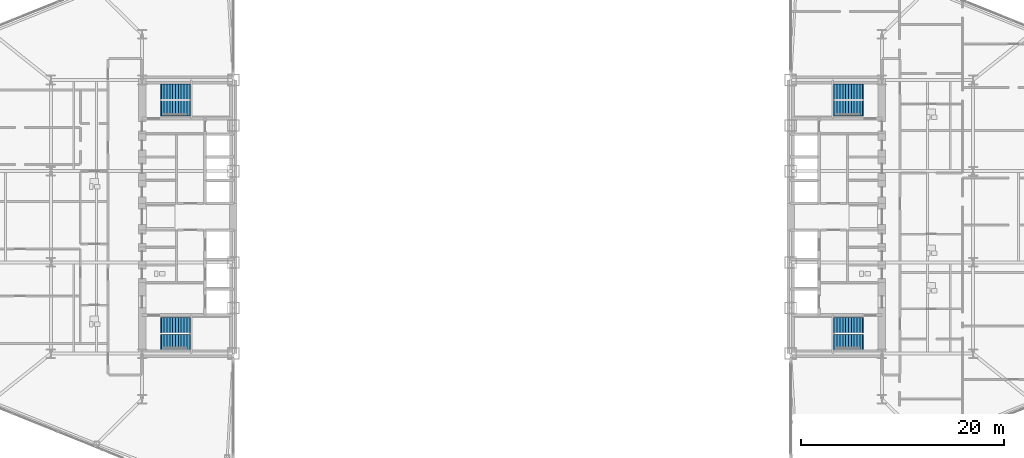
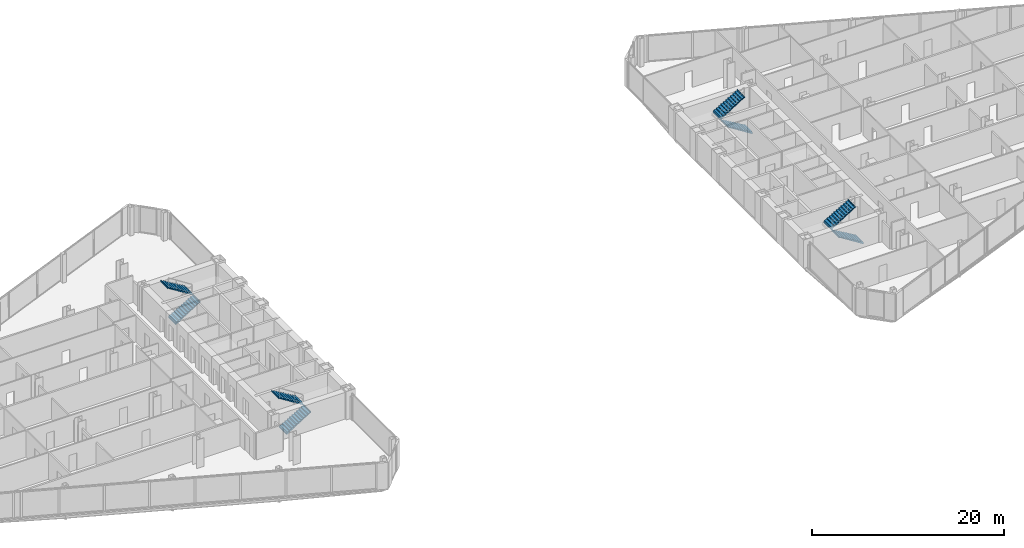
# One storey, part 23 of 25: 8 stair flights, 4 elements without a shape of their own.
"""IFC4 building model written with IfcOpenShell, lengths in metres."""

import ifcopenshell
import ifcopenshell.guid

model = None  # the IFC model being written
_history = None  # IfcOwnerHistory: only IFC2X3 demands one
_inside = {}  # id of a spatial element -> (the spatial element, [elements in it])
_under = {}  # id of a project, library or spatial element -> (it, [spatial elements below it])
_declared = {}  # id of a project -> (the project, [libraries it declares])
_typed = {}  # id of a type object -> (the type object, [elements of that type])
_made_of = {}  # id of a material, layer set ... -> (it, [elements and type objects made of it])


def new_model(schema):
    """Start an empty IFC model of exactly this schema.

    Asked for "IFC4X3", IfcOpenShell would pick the latest addendum, in which some entities
    have other attributes; the version numbers below select the first issue.
    IFC2X3 requires an IfcOwnerHistory on every rooted entity: one is made here for all.
    """
    global model, _history
    if schema == "IFC4X3":
        model = ifcopenshell.file(schema_version=(4, 3, 0, 0))
    else:
        model = ifcopenshell.file(schema=schema)
    _inside.clear()
    _under.clear()
    _declared.clear()
    _typed.clear()
    _made_of.clear()
    _history = None
    if model.schema == "IFC2X3":
        org = make("IfcOrganization", Name="unknown")
        user = make(
            "IfcPersonAndOrganization",
            ThePerson=make("IfcPerson", FamilyName="unknown"),
            TheOrganization=org,
        )
        app = make(
            "IfcApplication",
            ApplicationDeveloper=org,
            Version="unknown",
            ApplicationFullName="unknown",
            ApplicationIdentifier="unknown",
        )
        _history = make(
            "IfcOwnerHistory",
            OwningUser=user,
            OwningApplication=app,
            ChangeAction="ADDED",
            CreationDate=0,
        )
    return model


def make(cls, **values):
    """One entity of the class cls with the attributes given. An attribute that is None is left unset."""
    return model.create_entity(
        cls, **{name: value for name, value in values.items() if value is not None}
    )


def rooted(cls, **values):
    """An entity with a GlobalId (a new one), such as an element, a storey or a relation."""
    return make(cls, GlobalId=ifcopenshell.guid.new(), OwnerHistory=_history, **values)


def si_unit(unit_type, name, prefix=None):
    """IfcSIUnit, for example si_unit("LENGTHUNIT", "METRE", prefix="MILLI")."""
    return make("IfcSIUnit", UnitType=unit_type, Prefix=prefix, Name=name)


def assignment(units):
    """IfcUnitAssignment: the units of a project."""
    return None if units is None else make("IfcUnitAssignment", Units=units)


def point(xyz):
    """IfcCartesianPoint."""
    return None if xyz is None else make("IfcCartesianPoint", Coordinates=xyz)


def direction(xyz):
    """IfcDirection."""
    return None if xyz is None else make("IfcDirection", DirectionRatios=xyz)


def frame(location, z_axis=None, x_axis=None):
    """IfcAxis2Placement3D, a coordinate frame: its origin and axes. An axis left out is left unset."""
    return make(
        "IfcAxis2Placement3D",
        Location=point(location),
        Axis=direction(z_axis),
        RefDirection=direction(x_axis),
    )


def origin():
    """The frame at (0, 0, 0) with its axes left unset."""
    return frame((0.0, 0.0, 0.0))


def place(relative_to, where):
    """IfcLocalPlacement: puts the frame where relative to a parent placement (None: the world)."""
    return make(
        "IfcLocalPlacement", PlacementRelTo=relative_to, RelativePlacement=where
    )


def context(
    kind, dimensions, precision=None, world=None, true_north=None, identifier=None
):
    """IfcGeometricRepresentationContext, for example the 3D "Model" context."""
    return make(
        "IfcGeometricRepresentationContext",
        ContextIdentifier=identifier,
        ContextType=kind,
        CoordinateSpaceDimension=dimensions,
        Precision=precision,
        WorldCoordinateSystem=world,
        TrueNorth=true_north,
    )


def subcontext(parent, identifier, kind, view, scale=None):
    """IfcGeometricRepresentationSubContext, for example "Body" below "Model"."""
    return make(
        "IfcGeometricRepresentationSubContext",
        ContextIdentifier=identifier,
        ContextType=kind,
        ParentContext=parent,
        TargetScale=scale,
        TargetView=view,
    )


def project(units=None, contexts=None):
    """IfcProject with its units and contexts."""
    return rooted(
        "IfcProject",
        Name="project",
        RepresentationContexts=contexts,
        UnitsInContext=assignment(units),
    )


def spatial(cls, under=None, at=None, **own):
    """A site, building, storey or space (cls), placed at a placement, below another one or the project."""
    s = rooted(cls, ObjectPlacement=at, **own)
    if under is not None:
        _under.setdefault(under.id(), (under, []))[1].append(s)
    return s


def polyline(points):
    """IfcPolyline through the points."""
    return make("IfcPolyline", Points=[point(p) for p in points])


def outline(outer, holes=None, kind="AREA"):
    """IfcArbitraryClosedProfileDef: a profile drawn as a closed curve; with holes, ...WithVoids."""
    if holes is None:
        return make("IfcArbitraryClosedProfileDef", ProfileType=kind, OuterCurve=outer)
    return make(
        "IfcArbitraryProfileDefWithVoids",
        ProfileType=kind,
        OuterCurve=outer,
        InnerCurves=holes,
    )


def extrude(swept, where, along, depth):
    """IfcExtrudedAreaSolid: the profile swept, set in the frame where, extruded along a direction by depth."""
    return make(
        "IfcExtrudedAreaSolid",
        SweptArea=swept,
        Position=where,
        ExtrudedDirection=direction(along),
        Depth=depth,
    )


def shape(context_of_items, identifier, shape_type, items):
    """IfcShapeRepresentation: the items that make up one representation, for example the "Body"."""
    return make(
        "IfcShapeRepresentation",
        ContextOfItems=context_of_items,
        RepresentationIdentifier=identifier,
        RepresentationType=shape_type,
        Items=items,
    )


def material(Name=None, Category=None):
    """IfcMaterial."""
    return make("IfcMaterial", Name=Name, Category=Category)


def made_of(thing, what):
    """Note that an element or type object is made of a material, layer set ...; save() writes the relation."""
    if what is not None:
        _made_of.setdefault(what.id(), (what, []))[1].append(thing)
    return thing


def type_object(cls, material=None, **own):
    """A type object (cls), such as IfcWallType, which elements share."""
    return made_of(rooted(cls, **own), material)


def element(
    cls,
    number,
    at=None,
    inside=None,
    cuts=None,
    type_object=None,
    material=None,
    context=None,
    identifier="Body",
    shape_type=None,
    held_by="IfcProductDefinitionShape",
    body=None,
    shapes=None,
    **own,
):
    """One element of the class cls, such as IfcWall. Its Tag is "e" and its number.

    at: its placement. inside: the storey or other place that contains it. cuts: it is an
    opening in that element (IfcRelVoidsElement). A single representation is given by context,
    identifier, shape_type and body (its items); several are given by shapes. held_by: the class
    of the entity that holds the representations. save() writes the other relations.
    """
    e = rooted(cls, Tag="e%d" % number, ObjectPlacement=at, **own)
    if body is not None:
        shapes = [shape(context, identifier, shape_type, body)]
    if shapes is not None:
        e.Representation = make(held_by, Representations=shapes)
    if inside is not None:
        _inside.setdefault(inside.id(), (inside, []))[1].append(e)
    if cuts is not None:
        rooted(
            "IfcRelVoidsElement", RelatingBuildingElement=cuts, RelatedOpeningElement=e
        )
    if type_object is not None:
        _typed.setdefault(type_object.id(), (type_object, []))[1].append(e)
    return made_of(e, material)


def aggregate(whole, parts):
    """IfcRelAggregates: a whole, such as a stair, and the parts it consists of."""
    return rooted("IfcRelAggregates", RelatingObject=whole, RelatedObjects=parts)


def save(model, path):
    """Write the relations noted so far, then the file.

    IfcRelAggregates (storeys below a building ...), IfcRelContainedInSpatialStructure (elements
    in a storey), IfcRelDefinesByType, IfcRelAssociatesMaterial and IfcRelDeclares: one each for
    every whole, place, type object, material and project.
    """
    for whole, parts in _under.values():
        aggregate(whole, parts)
    for where, things in _inside.values():
        rooted(
            "IfcRelContainedInSpatialStructure",
            RelatedElements=things,
            RelatingStructure=where,
        )
    for kind, things in _typed.values():
        rooted("IfcRelDefinesByType", RelatedObjects=things, RelatingType=kind)
    for what, things in _made_of.values():
        rooted("IfcRelAssociatesMaterial", RelatedObjects=things, RelatingMaterial=what)
    for by, libraries in _declared.values():
        rooted("IfcRelDeclares", RelatingContext=by, RelatedDefinitions=libraries)
    model.write(path)


model = new_model("IFC4")

# Units and contexts
model_context = context("Model", 3, precision=1e-05, world=origin(), true_north=direction((0.0, 1.0)))
body_context = subcontext(model_context, "Body", "Model", "MODEL_VIEW")
ifc_project = project(units=[si_unit("LENGTHUNIT", "METRE"), si_unit("AREAUNIT", "SQUARE_METRE"), si_unit("VOLUMEUNIT", "CUBIC_METRE"), si_unit("PLANEANGLEUNIT", "RADIAN"), si_unit("MASSUNIT", "GRAM", prefix="KILO")], contexts=[model_context])

# Site, building, storey
site_placement = place(None, origin())
site = spatial("IfcSite", under=ifc_project, at=site_placement, CompositionType="ELEMENT")
building_placement = place(site_placement, origin())
building = spatial("IfcBuilding", under=site, at=building_placement, Name="Seokmaru Belvedere", CompositionType="ELEMENT")
storey_placement = place(building_placement, frame((0.0, 0.0, 54.89990234375)))
storey = spatial("IfcBuildingStorey", under=building, at=storey_placement, Name="L14", CompositionType="ELEMENT", Elevation=54.89990234375)

# Stair, stair flights
ifc_material = material(Name="Concrete C40 (40 MPa)", Category="concrete")
stair_type = type_object("IfcStairType", Name="Typical Tower Core Dog-Leg Stair 3600", PredefinedType="TWO_STRAIGHT_RUN_STAIR", material=ifc_material)
stair_1_placement = place(storey_placement, origin())
stair_1 = element("IfcStair", 1, at=stair_1_placement, inside=storey, type_object=stair_type, Name="L14 Special Escape Stair ST-W1", PredefinedType="TWO_STRAIGHT_RUN_STAIR")
stair_flight_type = type_object("IfcStairFlightType", Name="Reinforced Concrete Stair Flight 1500", PredefinedType="STRAIGHT", material=ifc_material)
stair_flight_1_placement = place(storey_placement, frame((-34.60009765625, -12.35009765625, 0.0), z_axis=(0.0, 0.0, 1.0), x_axis=(1.0, 0.0, 0.0)))
stair_flight_1 = element("IfcStairFlight", 2, at=stair_flight_1_placement, type_object=stair_flight_type, Name="ST-W1 flight 1", NumberOfRisers=11, NumberOfTreads=10, PredefinedType="STRAIGHT", RiserHeight=0.163636364, TreadLength=0.28, context=body_context, shape_type="SweptSolid", body=[
    extrude(outline(polyline([(-0.080078125, 0.0), (0.0, 0.16357421875), (0.280029296875, 0.16357421875), (0.280029296875, 0.327392578125), (0.56005859375, 0.327392578125), (0.56005859375, 0.490966796875), (0.840087890625, 0.490966796875), (0.840087890625, 0.654541015625), (1.1201171875, 0.654541015625), (1.1201171875, 0.818115234375), (1.39990234375, 0.818115234375), (1.39990234375, 0.98193359375), (1.679931640625, 0.98193359375), (1.679931640625, 1.1455078125), (1.9599609375, 1.1455078125), (1.9599609375, 1.30908203125), (2.239990234375, 1.30908203125), (2.239990234375, 1.47265625), (2.52001953125, 1.47265625), (2.52001953125, 1.636474609375), (2.800048828125, 1.636474609375), (2.800048828125, 1.800048828125), (2.8798828125, 1.800048828125), (2.8798828125, 1.610107421875), (2.800048828125, 1.610107421875), (0.0, -0.159912109375), (-0.080078125, -0.159912109375), (-0.080078125, 0.0)])), frame((0.0, 0.75, 0.0), z_axis=(0.0, -1.0, 0.0), x_axis=(1.0, 0.0, 0.0)), (0.0, 0.0, 1.0), 1.5),
])
stair_flight_2_placement = place(storey_placement, frame((-31.800048828125, -10.7099609375, 1.800048828125), z_axis=(0.0, 0.0, 1.0), x_axis=(-1.0, 0.0, 0.0)))
stair_flight_2 = element("IfcStairFlight", 3, at=stair_flight_2_placement, type_object=stair_flight_type, Name="ST-W1 flight 2", NumberOfRisers=11, NumberOfTreads=10, PredefinedType="STRAIGHT", RiserHeight=0.163636364, TreadLength=0.28, context=body_context, shape_type="SweptSolid", body=[
    extrude(outline(polyline([(-0.080078125, 0.0), (0.0, 0.16357421875), (0.280029296875, 0.16357421875), (0.280029296875, 0.327392578125), (0.56005859375, 0.327392578125), (0.56005859375, 0.490966796875), (0.840087890625, 0.490966796875), (0.840087890625, 0.654541015625), (1.1201171875, 0.654541015625), (1.1201171875, 0.818115234375), (1.39990234375, 0.818115234375), (1.39990234375, 0.98193359375), (1.679931640625, 0.98193359375), (1.679931640625, 1.1455078125), (1.9599609375, 1.1455078125), (1.9599609375, 1.30908203125), (2.239990234375, 1.30908203125), (2.239990234375, 1.47265625), (2.52001953125, 1.47265625), (2.52001953125, 1.636474609375), (2.800048828125, 1.636474609375), (2.800048828125, 1.800048828125), (2.8798828125, 1.800048828125), (2.8798828125, 1.610107421875), (2.800048828125, 1.610107421875), (0.0, -0.159912109375), (-0.080078125, -0.159912109375), (-0.080078125, 0.0)])), frame((0.0, 0.75, 0.0), z_axis=(0.0, -1.0, 0.0), x_axis=(1.0, 0.0, 0.0)), (0.0, 0.0, 1.0), 1.5),
])
aggregate(stair_1, [stair_flight_1, stair_flight_2])

stair_2_placement = place(storey_placement, origin())
stair_2 = element("IfcStair", 4, at=stair_2_placement, inside=storey, type_object=stair_type, Name="L14 Special Escape Stair ST-W2", PredefinedType="TWO_STRAIGHT_RUN_STAIR")
stair_flight_3_placement = place(storey_placement, frame((-34.60009765625, 10.7099609375, 0.0), z_axis=(0.0, 0.0, 1.0), x_axis=(1.0, 0.0, 0.0)))
stair_flight_3 = element("IfcStairFlight", 5, at=stair_flight_3_placement, type_object=stair_flight_type, Name="ST-W2 flight 1", NumberOfRisers=11, NumberOfTreads=10, PredefinedType="STRAIGHT", RiserHeight=0.163636364, TreadLength=0.28, context=body_context, shape_type="SweptSolid", body=[
    extrude(outline(polyline([(-0.080078125, 0.0), (0.0, 0.16357421875), (0.280029296875, 0.16357421875), (0.280029296875, 0.327392578125), (0.56005859375, 0.327392578125), (0.56005859375, 0.490966796875), (0.840087890625, 0.490966796875), (0.840087890625, 0.654541015625), (1.1201171875, 0.654541015625), (1.1201171875, 0.818115234375), (1.39990234375, 0.818115234375), (1.39990234375, 0.98193359375), (1.679931640625, 0.98193359375), (1.679931640625, 1.1455078125), (1.9599609375, 1.1455078125), (1.9599609375, 1.30908203125), (2.239990234375, 1.30908203125), (2.239990234375, 1.47265625), (2.52001953125, 1.47265625), (2.52001953125, 1.636474609375), (2.800048828125, 1.636474609375), (2.800048828125, 1.800048828125), (2.8798828125, 1.800048828125), (2.8798828125, 1.610107421875), (2.800048828125, 1.610107421875), (0.0, -0.159912109375), (-0.080078125, -0.159912109375), (-0.080078125, 0.0)])), frame((0.0, 0.75, 0.0), z_axis=(0.0, -1.0, 0.0), x_axis=(1.0, 0.0, 0.0)), (0.0, 0.0, 1.0), 1.5),
])
stair_flight_4_placement = place(storey_placement, frame((-31.800048828125, 12.35009765625, 1.800048828125), z_axis=(0.0, 0.0, 1.0), x_axis=(-1.0, 0.0, 0.0)))
stair_flight_4 = element("IfcStairFlight", 6, at=stair_flight_4_placement, type_object=stair_flight_type, Name="ST-W2 flight 2", NumberOfRisers=11, NumberOfTreads=10, PredefinedType="STRAIGHT", RiserHeight=0.163636364, TreadLength=0.28, context=body_context, shape_type="SweptSolid", body=[
    extrude(outline(polyline([(-0.080078125, 0.0), (0.0, 0.16357421875), (0.280029296875, 0.16357421875), (0.280029296875, 0.327392578125), (0.56005859375, 0.327392578125), (0.56005859375, 0.490966796875), (0.840087890625, 0.490966796875), (0.840087890625, 0.654541015625), (1.1201171875, 0.654541015625), (1.1201171875, 0.818115234375), (1.39990234375, 0.818115234375), (1.39990234375, 0.98193359375), (1.679931640625, 0.98193359375), (1.679931640625, 1.1455078125), (1.9599609375, 1.1455078125), (1.9599609375, 1.30908203125), (2.239990234375, 1.30908203125), (2.239990234375, 1.47265625), (2.52001953125, 1.47265625), (2.52001953125, 1.636474609375), (2.800048828125, 1.636474609375), (2.800048828125, 1.800048828125), (2.8798828125, 1.800048828125), (2.8798828125, 1.610107421875), (2.800048828125, 1.610107421875), (0.0, -0.159912109375), (-0.080078125, -0.159912109375), (-0.080078125, 0.0)])), frame((0.0, 0.75, 0.0), z_axis=(0.0, -1.0, 0.0), x_axis=(1.0, 0.0, 0.0)), (0.0, 0.0, 1.0), 1.5),
])
aggregate(stair_2, [stair_flight_3, stair_flight_4])

stair_3_placement = place(storey_placement, origin())
stair_3 = element("IfcStair", 7, at=stair_3_placement, inside=storey, type_object=stair_type, Name="L14 Special Escape Stair ST-E1", PredefinedType="TWO_STRAIGHT_RUN_STAIR")
stair_flight_5_placement = place(storey_placement, frame((34.60009765625, -12.35009765625, 0.0), z_axis=(0.0, 0.0, 1.0), x_axis=(-1.0, 0.0, 0.0)))
stair_flight_5 = element("IfcStairFlight", 8, at=stair_flight_5_placement, type_object=stair_flight_type, Name="ST-E1 flight 1", NumberOfRisers=11, NumberOfTreads=10, PredefinedType="STRAIGHT", RiserHeight=0.163636364, TreadLength=0.28, context=body_context, shape_type="SweptSolid", body=[
    extrude(outline(polyline([(-0.080078125, 0.0), (0.0, 0.16357421875), (0.280029296875, 0.16357421875), (0.280029296875, 0.327392578125), (0.56005859375, 0.327392578125), (0.56005859375, 0.490966796875), (0.840087890625, 0.490966796875), (0.840087890625, 0.654541015625), (1.1201171875, 0.654541015625), (1.1201171875, 0.818115234375), (1.39990234375, 0.818115234375), (1.39990234375, 0.98193359375), (1.679931640625, 0.98193359375), (1.679931640625, 1.1455078125), (1.9599609375, 1.1455078125), (1.9599609375, 1.30908203125), (2.239990234375, 1.30908203125), (2.239990234375, 1.47265625), (2.52001953125, 1.47265625), (2.52001953125, 1.636474609375), (2.800048828125, 1.636474609375), (2.800048828125, 1.800048828125), (2.8798828125, 1.800048828125), (2.8798828125, 1.610107421875), (2.800048828125, 1.610107421875), (0.0, -0.159912109375), (-0.080078125, -0.159912109375), (-0.080078125, 0.0)])), frame((0.0, 0.75, 0.0), z_axis=(0.0, -1.0, 0.0), x_axis=(1.0, 0.0, 0.0)), (0.0, 0.0, 1.0), 1.5),
])
stair_flight_6_placement = place(storey_placement, frame((31.800048828125, -10.7099609375, 1.800048828125), z_axis=(0.0, 0.0, 1.0), x_axis=(1.0, 0.0, 0.0)))
stair_flight_6 = element("IfcStairFlight", 9, at=stair_flight_6_placement, type_object=stair_flight_type, Name="ST-E1 flight 2", NumberOfRisers=11, NumberOfTreads=10, PredefinedType="STRAIGHT", RiserHeight=0.163636364, TreadLength=0.28, context=body_context, shape_type="SweptSolid", body=[
    extrude(outline(polyline([(-0.080078125, 0.0), (0.0, 0.16357421875), (0.280029296875, 0.16357421875), (0.280029296875, 0.327392578125), (0.56005859375, 0.327392578125), (0.56005859375, 0.490966796875), (0.840087890625, 0.490966796875), (0.840087890625, 0.654541015625), (1.1201171875, 0.654541015625), (1.1201171875, 0.818115234375), (1.39990234375, 0.818115234375), (1.39990234375, 0.98193359375), (1.679931640625, 0.98193359375), (1.679931640625, 1.1455078125), (1.9599609375, 1.1455078125), (1.9599609375, 1.30908203125), (2.239990234375, 1.30908203125), (2.239990234375, 1.47265625), (2.52001953125, 1.47265625), (2.52001953125, 1.636474609375), (2.800048828125, 1.636474609375), (2.800048828125, 1.800048828125), (2.8798828125, 1.800048828125), (2.8798828125, 1.610107421875), (2.800048828125, 1.610107421875), (0.0, -0.159912109375), (-0.080078125, -0.159912109375), (-0.080078125, 0.0)])), frame((0.0, 0.75, 0.0), z_axis=(0.0, -1.0, 0.0), x_axis=(1.0, 0.0, 0.0)), (0.0, 0.0, 1.0), 1.5),
])
aggregate(stair_3, [stair_flight_5, stair_flight_6])

stair_4_placement = place(storey_placement, origin())
stair_4 = element("IfcStair", 10, at=stair_4_placement, inside=storey, type_object=stair_type, Name="L14 Special Escape Stair ST-E2", PredefinedType="TWO_STRAIGHT_RUN_STAIR")
stair_flight_7_placement = place(storey_placement, frame((34.60009765625, 10.7099609375, 0.0), z_axis=(0.0, 0.0, 1.0), x_axis=(-1.0, 0.0, 0.0)))
stair_flight_7 = element("IfcStairFlight", 11, at=stair_flight_7_placement, type_object=stair_flight_type, Name="ST-E2 flight 1", NumberOfRisers=11, NumberOfTreads=10, PredefinedType="STRAIGHT", RiserHeight=0.163636364, TreadLength=0.28, context=body_context, shape_type="SweptSolid", body=[
    extrude(outline(polyline([(-0.080078125, 0.0), (0.0, 0.16357421875), (0.280029296875, 0.16357421875), (0.280029296875, 0.327392578125), (0.56005859375, 0.327392578125), (0.56005859375, 0.490966796875), (0.840087890625, 0.490966796875), (0.840087890625, 0.654541015625), (1.1201171875, 0.654541015625), (1.1201171875, 0.818115234375), (1.39990234375, 0.818115234375), (1.39990234375, 0.98193359375), (1.679931640625, 0.98193359375), (1.679931640625, 1.1455078125), (1.9599609375, 1.1455078125), (1.9599609375, 1.30908203125), (2.239990234375, 1.30908203125), (2.239990234375, 1.47265625), (2.52001953125, 1.47265625), (2.52001953125, 1.636474609375), (2.800048828125, 1.636474609375), (2.800048828125, 1.800048828125), (2.8798828125, 1.800048828125), (2.8798828125, 1.610107421875), (2.800048828125, 1.610107421875), (0.0, -0.159912109375), (-0.080078125, -0.159912109375), (-0.080078125, 0.0)])), frame((0.0, 0.75, 0.0), z_axis=(0.0, -1.0, 0.0), x_axis=(1.0, 0.0, 0.0)), (0.0, 0.0, 1.0), 1.5),
])
stair_flight_8_placement = place(storey_placement, frame((31.800048828125, 12.35009765625, 1.800048828125), z_axis=(0.0, 0.0, 1.0), x_axis=(1.0, 0.0, 0.0)))
stair_flight_8 = element("IfcStairFlight", 12, at=stair_flight_8_placement, type_object=stair_flight_type, Name="ST-E2 flight 2", NumberOfRisers=11, NumberOfTreads=10, PredefinedType="STRAIGHT", RiserHeight=0.163636364, TreadLength=0.28, context=body_context, shape_type="SweptSolid", body=[
    extrude(outline(polyline([(-0.080078125, 0.0), (0.0, 0.16357421875), (0.280029296875, 0.16357421875), (0.280029296875, 0.327392578125), (0.56005859375, 0.327392578125), (0.56005859375, 0.490966796875), (0.840087890625, 0.490966796875), (0.840087890625, 0.654541015625), (1.1201171875, 0.654541015625), (1.1201171875, 0.818115234375), (1.39990234375, 0.818115234375), (1.39990234375, 0.98193359375), (1.679931640625, 0.98193359375), (1.679931640625, 1.1455078125), (1.9599609375, 1.1455078125), (1.9599609375, 1.30908203125), (2.239990234375, 1.30908203125), (2.239990234375, 1.47265625), (2.52001953125, 1.47265625), (2.52001953125, 1.636474609375), (2.800048828125, 1.636474609375), (2.800048828125, 1.800048828125), (2.8798828125, 1.800048828125), (2.8798828125, 1.610107421875), (2.800048828125, 1.610107421875), (0.0, -0.159912109375), (-0.080078125, -0.159912109375), (-0.080078125, 0.0)])), frame((0.0, 0.75, 0.0), z_axis=(0.0, -1.0, 0.0), x_axis=(1.0, 0.0, 0.0)), (0.0, 0.0, 1.0), 1.5),
])
aggregate(stair_4, [stair_flight_7, stair_flight_8])

save(model, "model.ifc")
